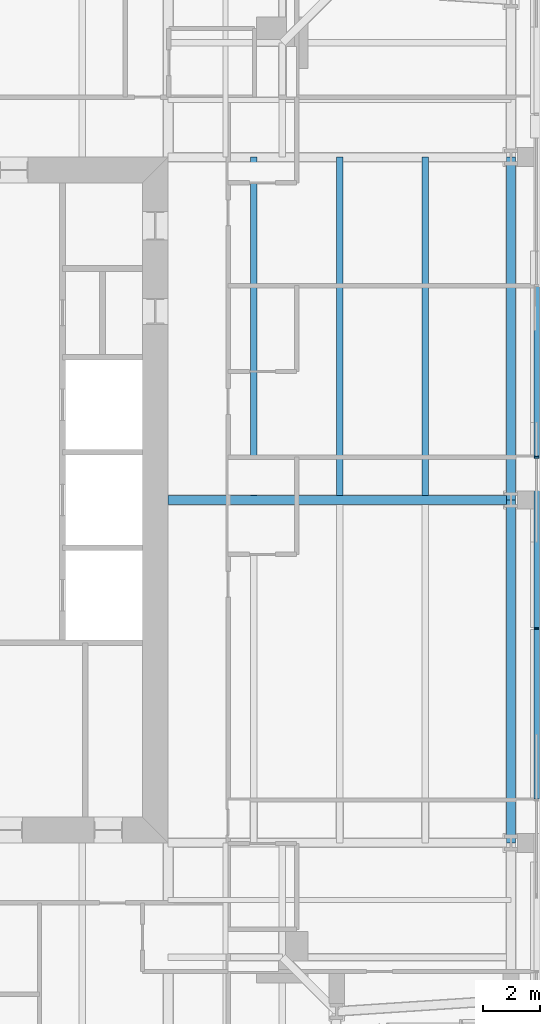
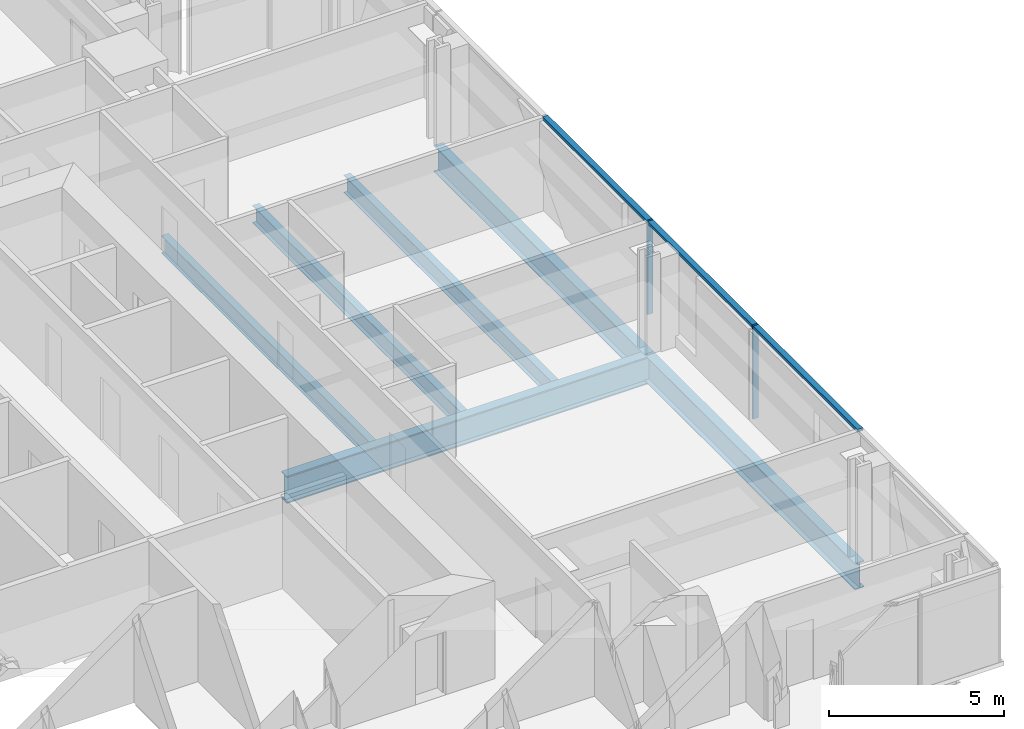
# One storey, part 6 of 20: 6 beams, 5 members, 1 element without a shape of its own.
"""IFC4 building model written with IfcOpenShell, lengths in metres."""

from ifc_helpers import new_model, si_unit, direction, frame, origin, origin_2d, place, context, subcontext, project, spatial, rectangle, i_section, extrude, material, material_profile, profile_set, type_object, element, aggregate, save


model = new_model("IFC4")

# Units and contexts
model_context = context("Model", 3, precision=1e-05, world=origin(), true_north=direction((0.0, 1.0)))
body_context = subcontext(model_context, "Body", "Model", "MODEL_VIEW")
ifc_project = project(units=[si_unit("LENGTHUNIT", "METRE"), si_unit("AREAUNIT", "SQUARE_METRE"), si_unit("VOLUMEUNIT", "CUBIC_METRE"), si_unit("PLANEANGLEUNIT", "RADIAN"), si_unit("MASSUNIT", "GRAM", prefix="KILO")], contexts=[model_context])

# Site, building, storey
site_placement = place(None, origin())
site = spatial("IfcSite", under=ifc_project, at=site_placement, CompositionType="ELEMENT")
building_placement = place(site_placement, origin())
building = spatial("IfcBuilding", under=site, at=building_placement, Name="Fenwick Lantern Interchange", CompositionType="ELEMENT")
storey_placement = place(building_placement, frame((0.0, 0.0, 259.39990234375)))
storey = spatial("IfcBuildingStorey", under=building, at=storey_placement, Name="L61", CompositionType="ELEMENT", Elevation=259.39990234375)

# Beams
ifc_material_1 = material(Name="Steel ASTM A992 Grade 50", Category="steel")
ifc_material_profile_1 = material_profile(ifc_material_1, i_section(OverallWidth=0.3046875, OverallDepth=0.911865234375, WebThickness=0.015869140625, FlangeThickness=0.02392578125, at=origin_2d()), Name="W36X150")
ifc_profile_set_1 = profile_set([ifc_material_profile_1], Name="Steel ASTM A992 Grade 50")
beam_type_1 = type_object("IfcBeamType", Name="EDGE BEAM W36X150", PredefinedType="SPANDREL", material=ifc_profile_set_1)
for number, where, z_axis, x_axis, name in (
    (1, (49.0, 13.0, -0.605712890625), (0.0, 1.0, 0.0), (-1.0, 0.0, 0.0), "L61/FR/E/EB2"),
    (2, (49.0, 25.0, -0.605712890625), (0.0, 1.0, 0.0), (-1.0, 0.0, 0.0), "L61/FR/E/EB3"),
):
    element("IfcBeam", number, at=place(storey_placement, frame(where, z_axis=z_axis, x_axis=x_axis)), inside=storey, type_object=beam_type_1, Name=name, PredefinedType="SPANDREL", context=body_context, shape_type="SweptSolid", body=[
        extrude(i_section(OverallWidth=0.3046875, OverallDepth=0.911865234375, WebThickness=0.015869140625, FlangeThickness=0.02392578125, at=origin_2d()), origin(), (0.0, 0.0, 1.0), 12.0),
    ])
ifc_material_profile_2 = material_profile(ifc_material_1, i_section(OverallWidth=0.22900390625, OverallDepth=0.612060546875, WebThickness=0.011962890625, FlangeThickness=0.01953125, at=origin_2d()), Name="W24X84")
ifc_profile_set_2 = profile_set([ifc_material_profile_2], Name="Steel ASTM A992 Grade 50")
beam_type_2 = type_object("IfcBeamType", Name="FLOOR BEAM W24X84", PredefinedType="BEAM", material=ifc_profile_set_2)
for number, where, z_axis, x_axis, name in (
    (3, (46.0, 25.155029296875, -0.4560546875), (0.0, 1.0, 0.0), (-1.0, 0.0, 0.0), "L61/FR/E/B04"),
    (4, (43.0, 25.155029296875, -0.4560546875), (0.0, 1.0, 0.0), (-1.0, 0.0, 0.0), "L61/FR/E/B05"),
    (5, (40.0, 25.155029296875, -0.4560546875), (0.0, 1.0, 0.0), (-1.0, 0.0, 0.0), "L61/FR/E/B06"),
):
    element("IfcBeam", number, at=place(storey_placement, frame(where, z_axis=z_axis, x_axis=x_axis)), inside=storey, type_object=beam_type_2, Name=name, PredefinedType="BEAM", context=body_context, shape_type="SweptSolid", body=[
        extrude(i_section(OverallWidth=0.22900390625, OverallDepth=0.612060546875, WebThickness=0.011962890625, FlangeThickness=0.01953125, at=origin_2d()), origin(), (0.0, 0.0, 1.0), 11.844970703125),
    ])

# Curtain wall, members
ifc_material_2 = material(Name="Aluminium curtain wall frame", Category="aluminium")
curtain_wall_type = type_object("IfcCurtainWallType", Name="HOTEL CURTAIN WALL", PredefinedType="USERDEFINED", material=ifc_material_2)
curtain_wall_placement = place(storey_placement, origin())
curtain_wall = element("IfcCurtainWall", 6, at=curtain_wall_placement, inside=storey, type_object=curtain_wall_type, Name="Hotel curtain wall 05", ObjectType="HOTEL CURTAIN WALL", PredefinedType="USERDEFINED")
ifc_material_3 = material(Name="Aluminium extrusion", Category="aluminium")
ifc_material_profile_3 = material_profile(ifc_material_3, rectangle(XDim=0.179931640625, YDim=0.06005859375, at=origin_2d()), Name="HOTEL CURTAIN WALL MULLION 60 X 180")
ifc_profile_set_3 = profile_set([ifc_material_profile_3], Name="Aluminium extrusion")
member_type_1 = type_object("IfcMemberType", Name="HOTEL CURTAIN WALL MULLION 60 X 180", PredefinedType="MULLION", material=ifc_profile_set_3)
member_1_placement = place(storey_placement, frame((49.89990234375, 20.5, 0.0), z_axis=(0.0, 0.0, 1.0), x_axis=(-1.0, 0.0, 0.0)))
member_1 = element("IfcMember", 7, at=member_1_placement, type_object=member_type_1, Name="L61/CW/05/M03", PredefinedType="MULLION", context=body_context, shape_type="SweptSolid", body=[
    extrude(rectangle(XDim=0.179931640625, YDim=0.06005859375, at=origin_2d()), origin(), (0.0, 0.0, 1.0), 3.25),
])
member_2_placement = place(storey_placement, frame((49.89990234375, 26.5, 0.0), z_axis=(0.0, 0.0, 1.0), x_axis=(-1.0, 0.0, 0.0)))
member_2 = element("IfcMember", 8, at=member_2_placement, type_object=member_type_1, Name="L61/CW/05/M04", PredefinedType="MULLION", context=body_context, shape_type="SweptSolid", body=[
    extrude(rectangle(XDim=0.179931640625, YDim=0.06005859375, at=origin_2d()), origin(), (0.0, 0.0, 1.0), 3.25),
])
ifc_material_profile_4 = material_profile(ifc_material_3, rectangle(XDim=0.179931640625, YDim=0.10009765625, at=origin_2d()), Name="HOTEL CURTAIN WALL TRANSOM 100 X 180")
ifc_profile_set_4 = profile_set([ifc_material_profile_4], Name="Aluminium extrusion")
member_type_2 = type_object("IfcMemberType", Name="HOTEL CURTAIN WALL TRANSOM 100 X 180", PredefinedType="MULLION", material=ifc_profile_set_4)
member_3_placement = place(storey_placement, frame((49.89990234375, 14.530029296875, 3.2001953125), z_axis=(0.0, 1.0, 0.0), x_axis=(-1.0, 0.0, 0.0)))
member_3 = element("IfcMember", 9, at=member_3_placement, type_object=member_type_2, Name="L61/CW/05/T02", PredefinedType="MULLION", context=body_context, shape_type="SweptSolid", body=[
    extrude(rectangle(XDim=0.179931640625, YDim=0.10009765625, at=origin_2d()), origin(), (0.0, 0.0, 1.0), 5.93994140625),
])
member_4_placement = place(storey_placement, frame((49.89990234375, 20.530029296875, 3.2001953125), z_axis=(0.0, 1.0, 0.0), x_axis=(-1.0, 0.0, 0.0)))
member_4 = element("IfcMember", 10, at=member_4_placement, type_object=member_type_2, Name="L61/CW/05/T03", PredefinedType="MULLION", context=body_context, shape_type="SweptSolid", body=[
    extrude(rectangle(XDim=0.179931640625, YDim=0.10009765625, at=origin_2d()), origin(), (0.0, 0.0, 1.0), 5.93994140625),
])
member_5_placement = place(storey_placement, frame((49.89990234375, 26.530029296875, 3.2001953125), z_axis=(0.0, 1.0, 0.0), x_axis=(-1.0, 0.0, 0.0)))
member_5 = element("IfcMember", 11, at=member_5_placement, type_object=member_type_2, Name="L61/CW/05/T04", PredefinedType="MULLION", context=body_context, shape_type="SweptSolid", body=[
    extrude(rectangle(XDim=0.179931640625, YDim=0.10009765625, at=origin_2d()), origin(), (0.0, 0.0, 1.0), 5.93994140625),
])
aggregate(curtain_wall, [member_1, member_2, member_3, member_4, member_5])

# Beam
ifc_material_profile_5 = material_profile(ifc_material_1, i_section(OverallWidth=0.309814453125, OverallDepth=0.949951171875, WebThickness=0.0244140625, FlangeThickness=0.0439453125, at=origin_2d()), Name="W36X256")
ifc_profile_set_5 = profile_set([ifc_material_profile_5], Name="Steel ASTM A992 Grade 50")
beam_type_3 = type_object("IfcBeamType", Name="MOMENT-CONNECTED GIRDER W36X256", PredefinedType="BEAM", material=ifc_profile_set_5)
beam_placement = place(storey_placement, frame((49.0, 25.0, -0.625), z_axis=(-1.0, 0.0, 0.0), x_axis=(0.0, -1.0, 0.0)))
element("IfcBeam", 12, at=beam_placement, inside=storey, type_object=beam_type_3, Name="L61/FR/E/R02", PredefinedType="BEAM", context=body_context, shape_type="SweptSolid", body=[
    extrude(i_section(OverallWidth=0.309814453125, OverallDepth=0.949951171875, WebThickness=0.0244140625, FlangeThickness=0.0439453125, at=origin_2d()), origin(), (0.0, 0.0, 1.0), 12.0),
])

save(model, "model.ifc")
